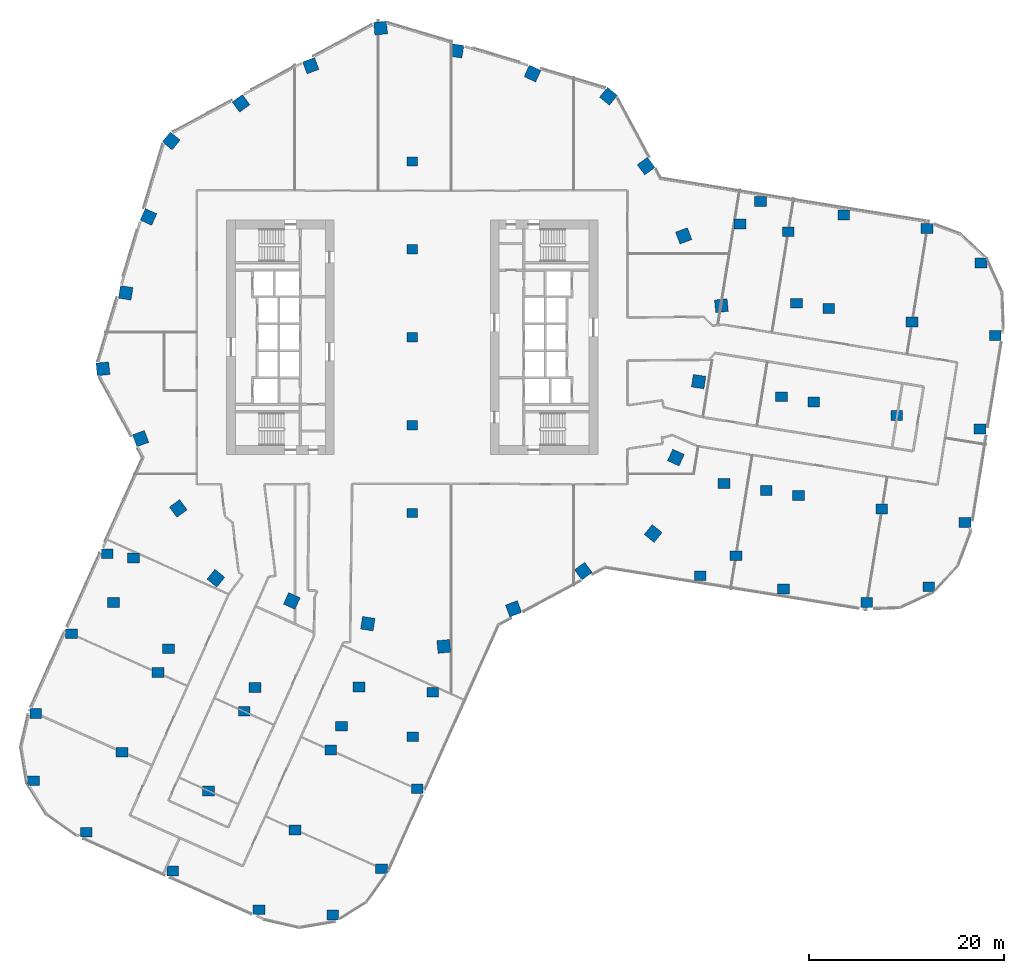
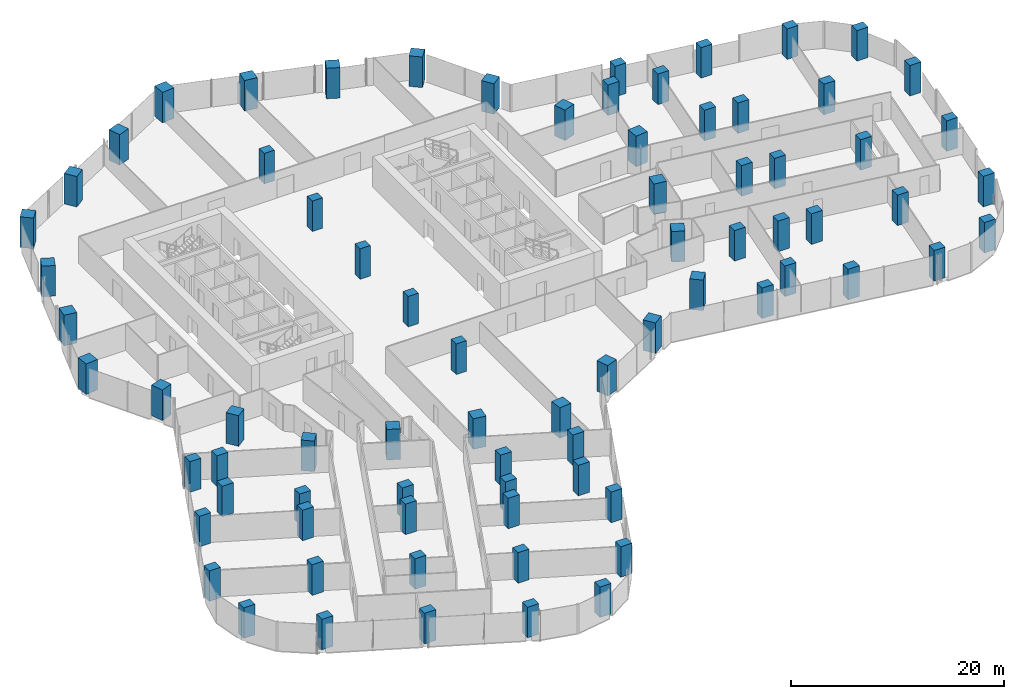
# One storey, part 1 of 34: 77 columns.
"""IFC4 building model written with IfcOpenShell, lengths in metres."""

from ifc_helpers import new_model, si_unit, direction, frame, origin, origin_2d, place, context, subcontext, project, spatial, rectangle, extrude, material, material_profile, profile_set, type_object, element, save


model = new_model("IFC4")

# Units and contexts
model_context = context("Model", 3, precision=1e-05, world=origin(), true_north=direction((0.0, 1.0)))
body_context = subcontext(model_context, "Body", "Model", "MODEL_VIEW")
ifc_project = project(units=[si_unit("LENGTHUNIT", "METRE"), si_unit("AREAUNIT", "SQUARE_METRE"), si_unit("VOLUMEUNIT", "CUBIC_METRE"), si_unit("PLANEANGLEUNIT", "RADIAN"), si_unit("MASSUNIT", "GRAM", prefix="KILO")], contexts=[model_context])

# Site, building, storey
site_placement = place(None, origin())
site = spatial("IfcSite", under=ifc_project, at=site_placement, CompositionType="ELEMENT")
building_placement = place(site_placement, origin())
building = spatial("IfcBuilding", under=site, at=building_placement, Name="Orlundy Tower", CompositionType="ELEMENT")
storey_placement = place(building_placement, frame((0.0, 0.0, 137.699951171875)))
storey = spatial("IfcBuildingStorey", under=building, at=storey_placement, Name="L35", CompositionType="ELEMENT", Elevation=137.699951171875)

# Columns
ifc_material_1 = material(Name="Concrete C80/95", Category="concrete")
ifc_material_profile_1 = material_profile(ifc_material_1, rectangle(XDim=1.10009765625, YDim=0.949951171875, at=origin_2d()), Name="RC1100X950")
ifc_profile_set_1 = profile_set([ifc_material_profile_1], Name="Concrete C80/95")
column_type_1 = type_object("IfcColumnType", Name="RC COLUMN RC1100X950 C80/95", PredefinedType="COLUMN", material=ifc_profile_set_1)
for number, where, z_axis, x_axis, name in (
    (1, (0.0, -18.0, 0.0), (0.0, 0.0, 1.0), (1.0, 0.0, 0.0), "Column C-M1 L35"),
    (2, (0.0, -9.0, 0.0), (0.0, 0.0, 1.0), (1.0, 0.0, 0.0), "Column C-M2 L35"),
    (3, (0.0, 0.0, 0.0), (0.0, 0.0, 1.0), (1.0, 0.0, 0.0), "Column C-M3 L35"),
    (4, (0.0, 9.0, 0.0), (0.0, 0.0, 1.0), (1.0, 0.0, 0.0), "Column C-M4 L35"),
    (5, (0.0, 18.0, 0.0), (0.0, 0.0, 1.0), (1.0, 0.0, 0.0), "Column C-M5 L35"),
):
    element("IfcColumn", number, at=place(storey_placement, frame(where, z_axis=z_axis, x_axis=x_axis)), inside=storey, type_object=column_type_1, Name=name, PredefinedType="COLUMN", context=body_context, shape_type="SweptSolid", body=[
        extrude(rectangle(XDim=1.10009765625, YDim=0.949951171875, at=origin_2d()), origin(), (0.0, 0.0, 1.0), 3.5),
    ])
ifc_material_2 = material(Name="Concrete C80/95", Category="concrete")
ifc_material_profile_2 = material_profile(ifc_material_2, rectangle(XDim=1.199951171875, YDim=1.0, at=origin_2d()), Name="RC1200X1000")
ifc_profile_set_2 = profile_set([ifc_material_profile_2], Name="Concrete C80/95")
column_type_2 = type_object("IfcColumnType", Name="RC COLUMN RC1200X1000 C80/95", PredefinedType="COLUMN", material=ifc_profile_set_2)
for number, where, z_axis, x_axis, name in (
    (6, (29.488037109375, -24.408935546875, 0.0), (0.0, 0.0, 1.0), (1.0, 0.0, 0.0), "Column C-A1-1 L35"),
    (7, (38.010986328125, -25.784912109375, 0.0), (0.0, 0.0, 1.0), (1.0, 0.0, 0.0), "Column C-A1-2 L35"),
    (8, (46.534912109375, -27.156005859375, 0.0), (0.0, 0.0, 1.0), (1.0, 0.0, 0.0), "Column C-A1-3 L35"),
    (9, (52.89892578125, -25.547119140625, 0.0), (0.0, 0.0, 1.0), (1.0, 0.0, 0.0), "Column C-A1-5 L35"),
    (10, (33.154052734375, -22.361083984375, 0.0), (0.0, 0.0, 1.0), (1.0, 0.0, 0.0), "Column C-A1-6 L35"),
    (11, (39.555908203125, -16.208984375, 0.0), (0.0, 0.0, 1.0), (1.0, 0.0, 0.0), "Column C-A2-2 L35"),
    (12, (48.0791015625, -17.583984375, 0.0), (0.0, 0.0, 1.0), (1.0, 0.0, 0.0), "Column C-A2-3 L35"),
    (13, (56.60302734375, -18.958984375, 0.0), (0.0, 0.0, 1.0), (1.0, 0.0, 0.0), "Column C-A2-5 L35"),
    (14, (36.26611328125, -15.677978515625, 0.0), (0.0, 0.0, 1.0), (1.0, 0.0, 0.0), "Column C-A2-6 L35"),
    (15, (31.922119140625, -14.97705078125, 0.0), (0.0, 0.0, 1.0), (1.0, 0.0, 0.0), "Column C-A2-7 L35"),
    (16, (41.10205078125, -6.632080078125, 0.0), (0.0, 0.0, 1.0), (1.0, 0.0, 0.0), "Column C-A3-2 L35"),
    (17, (49.625, -8.008056640625, 0.0), (0.0, 0.0, 1.0), (1.0, 0.0, 0.0), "Column C-A3-3 L35"),
    (18, (58.14794921875, -9.383056640625, 0.0), (0.0, 0.0, 1.0), (1.0, 0.0, 0.0), "Column C-A3-5 L35"),
    (19, (37.81103515625, -6.10107421875, 0.0), (0.0, 0.0, 1.0), (1.0, 0.0, 0.0), "Column C-A3-6 L35"),
    (20, (42.64697265625, 2.944091796875, 0.0), (0.0, 0.0, 1.0), (1.0, 0.0, 0.0), "Column C-A4-2 L35"),
    (21, (51.169921875, 1.568115234375, 0.0), (0.0, 0.0, 1.0), (1.0, 0.0, 0.0), "Column C-A4-3 L35"),
    (22, (59.693115234375, 0.193115234375, 0.0), (0.0, 0.0, 1.0), (1.0, 0.0, 0.0), "Column C-A4-5 L35"),
    (23, (39.35595703125, 3.47509765625, 0.0), (0.0, 0.0, 1.0), (1.0, 0.0, 0.0), "Column C-A4-6 L35"),
    (24, (35.6689453125, 13.89501953125, 0.0), (0.0, 0.0, 1.0), (1.0, 0.0, 0.0), "Column C-A5-1 L35"),
    (25, (44.19189453125, 12.52001953125, 0.0), (0.0, 0.0, 1.0), (1.0, 0.0, 0.0), "Column C-A5-2 L35"),
    (26, (52.715087890625, 11.139892578125, 0.0), (0.0, 0.0, 1.0), (1.0, 0.0, 0.0), "Column C-A5-3 L35"),
    (27, (58.25, 7.611083984375, 0.0), (0.0, 0.0, 1.0), (1.0, 0.0, 0.0), "Column C-A5-5 L35"),
    (28, (38.5048828125, 10.797119140625, 0.0), (0.0, 0.0, 1.0), (1.0, 0.0, 0.0), "Column C-A5-6 L35"),
    (29, (33.569091796875, 11.593994140625, 0.0), (0.0, 0.0, 1.0), (1.0, 0.0, 0.0), "Column C-A5-7 L35"),
    (30, (-31.2099609375, -22.166015625, 0.0), (0.0, 0.0, 1.0), (1.0, 0.0, 0.0), "Column C-B1-1 L35"),
    (31, (-34.881103515625, -30.345947265625, 0.0), (0.0, 0.0, 1.0), (1.0, 0.0, 0.0), "Column C-B1-2 L35"),
    (32, (-38.551025390625, -38.527099609375, 0.0), (0.0, 0.0, 1.0), (1.0, 0.0, 0.0), "Column C-B1-3 L35"),
    (33, (-38.777099609375, -45.39697265625, 0.0), (0.0, 0.0, 1.0), (1.0, 0.0, 0.0), "Column C-B1-5 L35"),
    (34, (-30.589111328125, -27.14990234375, 0.0), (0.0, 0.0, 1.0), (1.0, 0.0, 0.0), "Column C-B1-6 L35"),
    (35, (-28.5419921875, -22.587890625, 0.0), (0.0, 0.0, 1.0), (1.0, 0.0, 0.0), "Column C-B1-7 L35"),
    (36, (-26.031005859375, -34.318115234375, 0.0), (0.0, 0.0, 1.0), (1.0, 0.0, 0.0), "Column C-B2-2 L35"),
    (37, (-29.701904296875, -42.498046875, 0.0), (0.0, 0.0, 1.0), (1.0, 0.0, 0.0), "Column C-B2-3 L35"),
    (38, (-33.3720703125, -50.678955078125, 0.0), (0.0, 0.0, 1.0), (1.0, 0.0, 0.0), "Column C-B2-5 L35"),
    (39, (-24.93896484375, -31.885009765625, 0.0), (0.0, 0.0, 1.0), (1.0, 0.0, 0.0), "Column C-B2-6 L35"),
    (40, (-17.180908203125, -38.2890625, 0.0), (0.0, 0.0, 1.0), (1.0, 0.0, 0.0), "Column C-B3-2 L35"),
    (41, (-20.85205078125, -46.468994140625, 0.0), (0.0, 0.0, 1.0), (1.0, 0.0, 0.0), "Column C-B3-3 L35"),
    (42, (-24.52294921875, -54.64990234375, 0.0), (0.0, 0.0, 1.0), (1.0, 0.0, 0.0), "Column C-B3-5 L35"),
    (43, (-16.089111328125, -35.85595703125, 0.0), (0.0, 0.0, 1.0), (1.0, 0.0, 0.0), "Column C-B3-6 L35"),
    (44, (-8.3310546875, -42.260009765625, 0.0), (0.0, 0.0, 1.0), (1.0, 0.0, 0.0), "Column C-B4-2 L35"),
    (45, (-12.001953125, -50.44091796875, 0.0), (0.0, 0.0, 1.0), (1.0, 0.0, 0.0), "Column C-B4-3 L35"),
    (46, (-15.673095703125, -58.62109375, 0.0), (0.0, 0.0, 1.0), (1.0, 0.0, 0.0), "Column C-B4-5 L35"),
    (47, (-7.239013671875, -39.826904296875, 0.0), (0.0, 0.0, 1.0), (1.0, 0.0, 0.0), "Column C-B4-6 L35"),
    (48, (-5.43798828125, -35.81201171875, 0.0), (0.0, 0.0, 1.0), (1.0, 0.0, 0.0), "Column C-B4-7 L35"),
    (49, (0.51904296875, -46.23095703125, 0.0), (0.0, 0.0, 1.0), (1.0, 0.0, 0.0), "Column C-B5-2 L35"),
    (50, (-3.152099609375, -54.412109375, 0.0), (0.0, 0.0, 1.0), (1.0, 0.0, 0.0), "Column C-B5-3 L35"),
    (51, (-8.134033203125, -59.14697265625, 0.0), (0.0, 0.0, 1.0), (1.0, 0.0, 0.0), "Column C-B5-5 L35"),
    (52, (0.053955078125, -40.89990234375, 0.0), (0.0, 0.0, 1.0), (1.0, 0.0, 0.0), "Column C-B5-6 L35"),
    (53, (2.10107421875, -36.337890625, 0.0), (0.0, 0.0, 1.0), (1.0, 0.0, 0.0), "Column C-B5-7 L35"),
):
    element("IfcColumn", number, at=place(storey_placement, frame(where, z_axis=z_axis, x_axis=x_axis)), inside=storey, type_object=column_type_2, Name=name, PredefinedType="COLUMN", context=body_context, shape_type="SweptSolid", body=[
        extrude(rectangle(XDim=1.199951171875, YDim=1.0, at=origin_2d()), origin(), (0.0, 0.0, 1.0), 3.5),
    ])
ifc_material_3 = material(Name="Concrete C80/95", Category="concrete")
ifc_material_profile_3 = material_profile(ifc_material_3, rectangle(XDim=1.300048828125, YDim=1.300048828125, at=origin_2d()), Name="RC1300X1300")
ifc_profile_set_3 = profile_set([ifc_material_profile_3], Name="Concrete C80/95")
column_type_3 = type_object("IfcColumnType", Name="RC COLUMN RC1300X1300 C80/95", PredefinedType="COLUMN", material=ifc_profile_set_3)
for number, where, z_axis, x_axis, name in (
    (54, (20.097900390625, 24.672119140625, 0.0), (0.0, 0.0, 1.0), (0.631582861875, 0.775308382894, 0.0), "Column C-H01 L35"),
    (55, (23.950927734375, 17.52587890625, 0.0), (0.0, 0.0, 1.0), (0.807011849138, 0.590535244799, 0.0), "Column C-H02 L35"),
    (56, (27.803955078125, 10.3798828125, 0.0), (0.0, 0.0, 1.0), (0.936843221006, 0.349749595075, 0.0), "Column C-H03 L35"),
    (57, (31.657958984375, 3.23388671875, 0.0), (0.0, 0.0, 1.0), (0.994822339568, 0.101629290543, 0.0), "Column C-H04 L35"),
    (58, (29.3291015625, -4.54296875, 0.0), (0.0, 0.0, 1.0), (0.988215027151, -0.153072074896, 0.0), "Column C-H05 L35"),
    (59, (27.0009765625, -12.321044921875, 0.0), (0.0, 0.0, 1.0), (0.909758504877, -0.415137884087, 0.0), "Column C-H06 L35"),
    (60, (24.672119140625, -20.097900390625, 0.0), (0.0, 0.0, 1.0), (0.775308382894, -0.631582861875, 0.0), "Column C-H07 L35"),
    (61, (17.52587890625, -23.950927734375, 0.0), (0.0, 0.0, 1.0), (0.590535244799, -0.807011849138, 0.0), "Column C-H08 L35"),
    (62, (10.3798828125, -27.803955078125, 0.0), (0.0, 0.0, 1.0), (0.349749595075, -0.936843221006, 0.0), "Column C-H09 L35"),
    (63, (3.23388671875, -31.657958984375, 0.0), (0.0, 0.0, 1.0), (0.101629290543, -0.994822339568, 0.0), "Column C-H10 L35"),
    (64, (-4.54296875, -29.3291015625, 0.0), (0.0, 0.0, 1.0), (-0.153072074896, -0.988215027151, 0.0), "Column C-H11 L35"),
    (65, (-12.321044921875, -27.0009765625, 0.0), (0.0, 0.0, 1.0), (-0.415137884087, -0.909758504877, 0.0), "Column C-H12 L35"),
    (66, (-20.097900390625, -24.672119140625, 0.0), (0.0, 0.0, 1.0), (-0.631582861875, -0.775308382894, 0.0), "Column C-H13 L35"),
    (67, (-23.950927734375, -17.52587890625, 0.0), (0.0, 0.0, 1.0), (-0.807011849138, -0.590535244799, 0.0), "Column C-H14 L35"),
    (68, (-27.803955078125, -10.3798828125, 0.0), (0.0, 0.0, 1.0), (-0.936843221006, -0.349749595075, 0.0), "Column C-H15 L35"),
    (69, (-31.657958984375, -3.23388671875, 0.0), (0.0, 0.0, 1.0), (-0.994822339568, -0.101629290543, 0.0), "Column C-H16 L35"),
    (70, (-29.3291015625, 4.54296875, 0.0), (0.0, 0.0, 1.0), (-0.988215027151, 0.153072074896, 0.0), "Column C-H17 L35"),
    (71, (-27.0009765625, 12.321044921875, 0.0), (0.0, 0.0, 1.0), (-0.909758504877, 0.415137884087, 0.0), "Column C-H18 L35"),
    (72, (-24.672119140625, 20.097900390625, 0.0), (0.0, 0.0, 1.0), (-0.775308382894, 0.631582861875, 0.0), "Column C-H19 L35"),
    (73, (-17.52587890625, 23.950927734375, 0.0), (0.0, 0.0, 1.0), (-0.590535244799, 0.807011849138, 0.0), "Column C-H20 L35"),
    (74, (-10.3798828125, 27.803955078125, 0.0), (0.0, 0.0, 1.0), (-0.349749595075, 0.936843221006, 0.0), "Column C-H21 L35"),
    (75, (-3.23388671875, 31.657958984375, 0.0), (0.0, 0.0, 1.0), (-0.101629290543, 0.994822339568, 0.0), "Column C-H22 L35"),
    (76, (4.54296875, 29.3291015625, 0.0), (0.0, 0.0, 1.0), (0.153072074896, 0.988215027151, 0.0), "Column C-H23 L35"),
    (77, (12.321044921875, 27.0009765625, 0.0), (0.0, 0.0, 1.0), (0.415137884087, 0.909758504877, 0.0), "Column C-H24 L35"),
):
    element("IfcColumn", number, at=place(storey_placement, frame(where, z_axis=z_axis, x_axis=x_axis)), inside=storey, type_object=column_type_3, Name=name, PredefinedType="COLUMN", context=body_context, shape_type="SweptSolid", body=[
        extrude(rectangle(XDim=1.300048828125, YDim=1.300048828125, at=origin_2d()), origin(), (0.0, 0.0, 1.0), 3.5),
    ])

save(model, "model.ifc")
